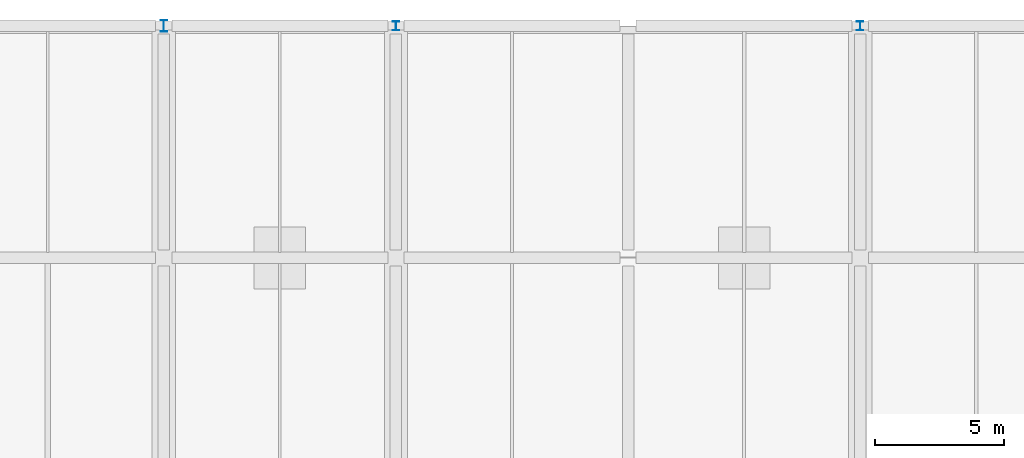
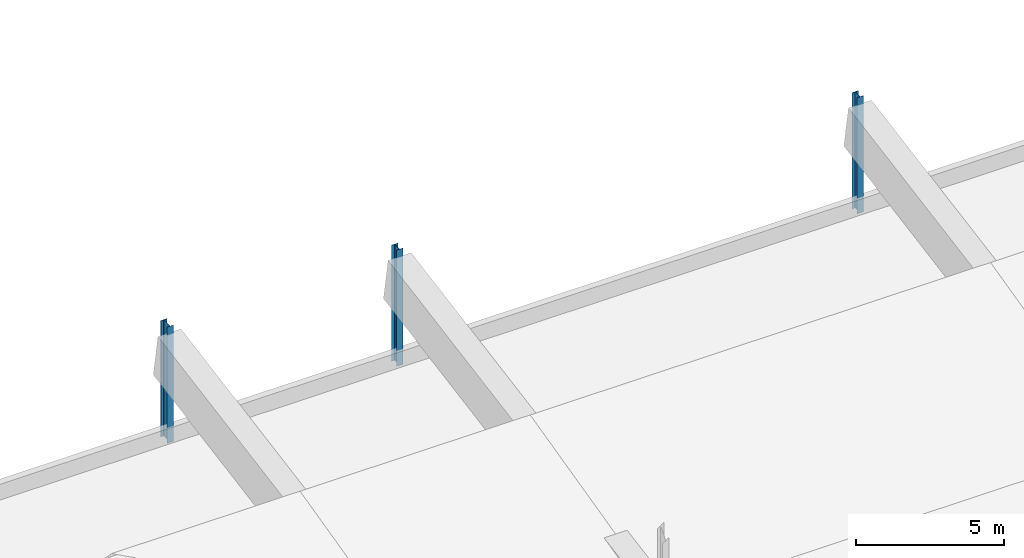
# One storey, part 17 of 66: 3 columns.
"""IFC4 building model written with IfcOpenShell, lengths in metres."""

from ifc_helpers import new_model, si_unit, direction, frame, origin, origin_2d, place, context, subcontext, project, spatial, i_section, extrude, material, material_profile, profile_set, type_object, element, save


model = new_model("IFC4")

# Units and contexts
model_context = context("Model", 3, precision=1e-05, world=origin(), true_north=direction((0.0, 1.0)))
body_context = subcontext(model_context, "Body", "Model", "MODEL_VIEW")
ifc_project = project(units=[si_unit("LENGTHUNIT", "METRE"), si_unit("AREAUNIT", "SQUARE_METRE"), si_unit("VOLUMEUNIT", "CUBIC_METRE"), si_unit("PLANEANGLEUNIT", "RADIAN"), si_unit("MASSUNIT", "GRAM", prefix="KILO"), si_unit("THERMODYNAMICTEMPERATUREUNIT", "KELVIN"), si_unit("POWERUNIT", "WATT")], contexts=[model_context])

# Site, building, storey
site_placement = place(None, origin())
site = spatial("IfcSite", under=ifc_project, at=site_placement, CompositionType="ELEMENT")
building_placement = place(site_placement, origin())
building = spatial("IfcBuilding", under=site, at=building_placement, Name="Sindhuravela Promenade Stadium", CompositionType="ELEMENT")
storey_placement = place(building_placement, frame((0.0, 0.0, 19.199951171875)))
storey = spatial("IfcBuildingStorey", under=building, at=storey_placement, Name="L04", CompositionType="ELEMENT", Elevation=19.199951171875)

# Columns
ifc_material = material(Name="Steel E350 (IS 2062 E350BR)", Category="steel")
ifc_material_profile_1 = material_profile(ifc_material, i_section(OverallWidth=0.25, OverallDepth=0.35009765625, WebThickness=0.010009765625, FlangeThickness=0.01171875, FilletRadius=0.011962890625, at=origin_2d()), Name="ISHB 350")
ifc_profile_set_1 = profile_set([ifc_material_profile_1], Name="Steel E350 (IS 2062 E350BR)")
column_type_1 = type_object("IfcColumnType", Name="ST-CL-HB350", PredefinedType="COLUMN", material=ifc_profile_set_1)
for number, where, z_axis, x_axis, name in (
    (1, (108.0, 153.0, 0.0), (0.0, 0.0, 1.0), (1.0, 0.0, 0.0), "Column SC02 NORTH L04"),
    (2, (126.0, 153.0, 0.0), (0.0, 0.0, 1.0), (1.0, 0.0, 0.0), "Column SC02 NORTH L04"),
):
    element("IfcColumn", number, at=place(storey_placement, frame(where, z_axis=z_axis, x_axis=x_axis)), inside=storey, type_object=column_type_1, Name=name, PredefinedType="COLUMN", context=body_context, shape_type="SweptSolid", body=[
        extrude(i_section(OverallWidth=0.25, OverallDepth=0.35009765625, WebThickness=0.010009765625, FlangeThickness=0.01171875, FilletRadius=0.011962890625, at=origin_2d()), origin(), (0.0, 0.0, 1.0), 4.800048828125),
    ])
ifc_material_profile_2 = material_profile(ifc_material, i_section(OverallWidth=0.25, OverallDepth=0.449951171875, WebThickness=0.01123046875, FlangeThickness=0.013671875, FilletRadius=0.014892578125, at=origin_2d()), Name="ISHB 450")
ifc_profile_set_2 = profile_set([ifc_material_profile_2], Name="Steel E350 (IS 2062 E350BR)")
column_type_2 = type_object("IfcColumnType", Name="ST-CL-HB450", PredefinedType="COLUMN", material=ifc_profile_set_2)
column_placement = place(storey_placement, frame((99.0, 153.0, 0.0), z_axis=(0.0, 0.0, 1.0), x_axis=(1.0, 0.0, 0.0)))
element("IfcColumn", 3, at=column_placement, inside=storey, type_object=column_type_2, Name="Column SC03 NORTH L04", PredefinedType="COLUMN", context=body_context, shape_type="SweptSolid", body=[
    extrude(i_section(OverallWidth=0.25, OverallDepth=0.449951171875, WebThickness=0.01123046875, FlangeThickness=0.013671875, FilletRadius=0.014892578125, at=origin_2d()), origin(), (0.0, 0.0, 1.0), 4.800048828125),
])

save(model, "model.ifc")
